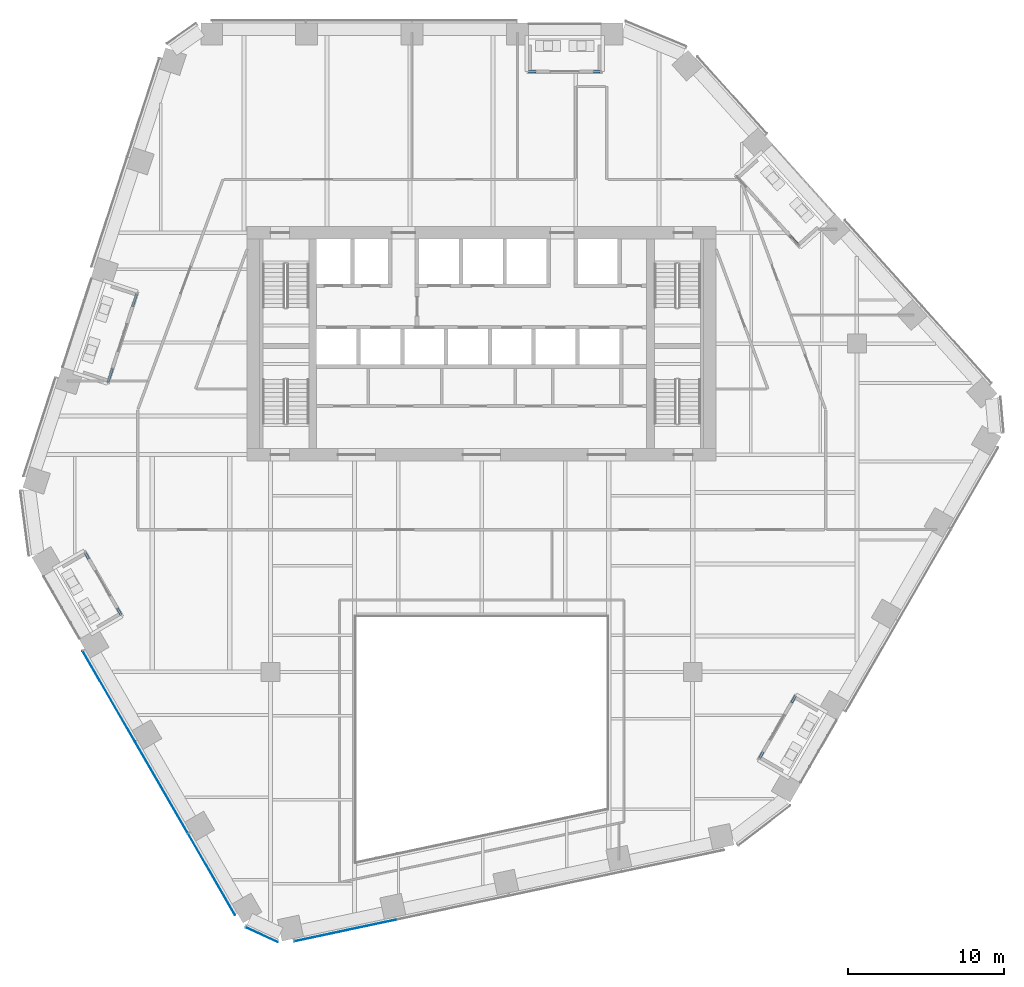
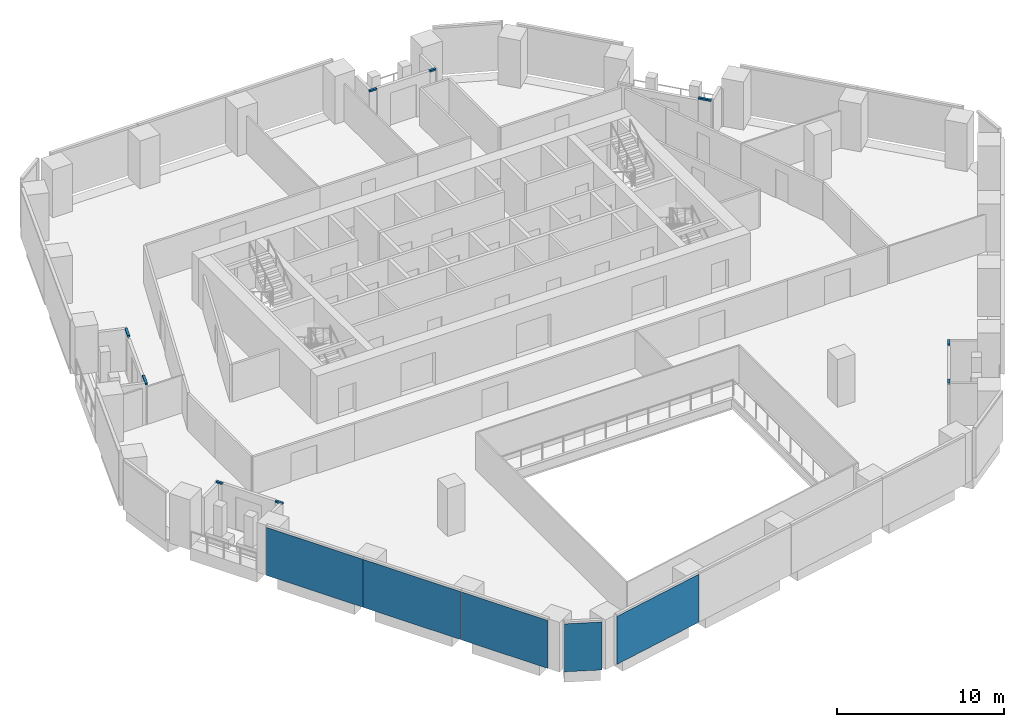
# One storey, part 11 of 24: 9 members, 5 plates, 8 elements without a shape of their own.
"""IFC4 building model written with IfcOpenShell, lengths in metres."""

from ifc_helpers import new_model, si_unit, direction, frame, origin, origin_2d, place, context, subcontext, project, spatial, rectangle, extrude, material, layer, layer_set, material_profile, profile_set, type_object, element, aggregate, save


model = new_model("IFC4")

# Units and contexts
model_context = context("Model", 3, precision=1e-05, world=origin(), true_north=direction((0.0, 1.0)))
body_context = subcontext(model_context, "Body", "Model", "MODEL_VIEW")
ifc_project = project(units=[si_unit("LENGTHUNIT", "METRE"), si_unit("AREAUNIT", "SQUARE_METRE"), si_unit("VOLUMEUNIT", "CUBIC_METRE"), si_unit("PLANEANGLEUNIT", "RADIAN"), si_unit("MASSUNIT", "GRAM", prefix="KILO")], contexts=[model_context])

# Site, building, storey
site_placement = place(None, origin())
site = spatial("IfcSite", under=ifc_project, at=site_placement, CompositionType="ELEMENT")
building_placement = place(site_placement, origin())
building = spatial("IfcBuilding", under=site, at=building_placement, Name="Isthmus Gate Tower", CompositionType="ELEMENT")
storey_placement = place(building_placement, frame((0.0, 0.0, 159.0)))
storey = spatial("IfcBuildingStorey", under=building, at=storey_placement, Name="L39", CompositionType="ELEMENT", Elevation=159.0)

# Curtain wall, members
ifc_material_1 = material(Name="Aluminium, pale champagne anodised", Category="aluminium")
ifc_layer_1 = layer(ifc_material_1, 0.14990234375)
ifc_layer_set_1 = layer_set([ifc_layer_1], Name="CW-6 LOGGIA BACK WALL GLAZING 150 DEEP")
curtain_wall_type_1 = type_object("IfcCurtainWallType", Name="CW-6 LOGGIA BACK WALL GLAZING 150 DEEP", PredefinedType="NOTDEFINED", material=ifc_layer_set_1)
curtain_wall_1_placement = place(storey_placement, origin())
curtain_wall_1 = element("IfcCurtainWall", 1, at=curtain_wall_1_placement, inside=storey, type_object=curtain_wall_type_1, Name="CW-6 N L39", PredefinedType="NOTDEFINED")
ifc_material_2 = material(Name="Aluminium, pale champagne anodised", Category="aluminium")
ifc_material_profile = material_profile(ifc_material_2, rectangle(XDim=0.14990234375, YDim=0.1201171875, at=origin_2d()), Name="150x120")
ifc_profile_set = profile_set([ifc_material_profile], Name="Aluminium, pale champagne anodised")
member_type = type_object("IfcMemberType", Name="CW-6 TRANSOM 150 X 120", PredefinedType="USERDEFINED", material=ifc_profile_set)
member_1_placement = place(storey_placement, frame((7.57861328125, 24.89990234375, 2.989990234375), z_axis=(-1.0, 0.0, 0.0), x_axis=(0.0, -1.0, 0.0)))
member_1 = element("IfcMember", 2, at=member_1_placement, type_object=member_type, Name="CW-6 transom", ObjectType="TRANSOM", PredefinedType="USERDEFINED", context=body_context, shape_type="SweptSolid", body=[
    extrude(rectangle(XDim=0.14990234375, YDim=0.1201171875, at=origin_2d()), origin(), (0.0, 0.0, 1.0), 0.43994140625),
])
member_2_placement = place(storey_placement, frame((3.488525390625, 24.89990234375, 2.989990234375), z_axis=(-1.0, 0.0, 0.0), x_axis=(0.0, -1.0, 0.0)))
member_2 = element("IfcMember", 3, at=member_2_placement, type_object=member_type, Name="CW-6 transom", ObjectType="TRANSOM", PredefinedType="USERDEFINED", context=body_context, shape_type="SweptSolid", body=[
    extrude(rectangle(XDim=0.14990234375, YDim=0.1201171875, at=origin_2d()), origin(), (0.0, 0.0, 1.0), 0.5),
])
aggregate(curtain_wall_1, [member_1, member_2])

curtain_wall_2_placement = place(storey_placement, origin())
curtain_wall_2 = element("IfcCurtainWall", 4, at=curtain_wall_2_placement, inside=storey, type_object=curtain_wall_type_1, Name="CW-6 NW L39", PredefinedType="NOTDEFINED")
member_3_placement = place(storey_placement, frame((-22.069091796875, 10.676025390625, 2.989990234375), z_axis=(-0.309205020217, -0.950995402445, 0.0), x_axis=(0.950995402445, -0.309205020217, 0.0)))
member_3 = element("IfcMember", 5, at=member_3_placement, type_object=member_type, Name="CW-6 transom", ObjectType="TRANSOM", PredefinedType="USERDEFINED", context=body_context, shape_type="SweptSolid", body=[
    extrude(rectangle(XDim=0.14990234375, YDim=0.1201171875, at=origin_2d()), origin(), (0.0, 0.0, 1.0), 0.83544921875),
])
member_4_placement = place(storey_placement, frame((-23.625244140625, 5.88720703125, 2.989990234375), z_axis=(-0.308938094753, -0.951082148718, 0.0), x_axis=(0.951082148718, -0.308938094753, 0.0)))
member_4 = element("IfcMember", 6, at=member_4_placement, type_object=member_type, Name="CW-6 transom", ObjectType="TRANSOM", PredefinedType="USERDEFINED", context=body_context, shape_type="SweptSolid", body=[
    extrude(rectangle(XDim=0.14990234375, YDim=0.1201171875, at=origin_2d()), origin(), (0.0, 0.0, 1.0), 0.895263671875),
])
aggregate(curtain_wall_2, [member_3, member_4])

curtain_wall_3_placement = place(storey_placement, origin())
curtain_wall_3 = element("IfcCurtainWall", 7, at=curtain_wall_3_placement, inside=storey, type_object=curtain_wall_type_1, Name="CW-6 SW L39", PredefinedType="NOTDEFINED")
member_5_placement = place(storey_placement, frame((-25.353271484375, -5.88671875, 2.989990234375), z_axis=(0.499898558967, -0.866083962871, 0.0), x_axis=(0.866083962871, 0.499898558967, 0.0)))
member_5 = element("IfcMember", 8, at=member_5_placement, type_object=member_type, Name="CW-6 transom", ObjectType="TRANSOM", PredefinedType="USERDEFINED", context=body_context, shape_type="SweptSolid", body=[
    extrude(rectangle(XDim=0.14990234375, YDim=0.1201171875, at=origin_2d()), origin(), (0.0, 0.0, 1.0), 0.43994140625),
])
member_6_placement = place(storey_placement, frame((-23.308349609375, -9.428955078125, 2.989990234375), z_axis=(0.499919672301, -0.866071776036, 0.0), x_axis=(0.866071776036, 0.499919672301, 0.0)))
member_6 = element("IfcMember", 9, at=member_6_placement, type_object=member_type, Name="CW-6 transom", ObjectType="TRANSOM", PredefinedType="USERDEFINED", context=body_context, shape_type="SweptSolid", body=[
    extrude(rectangle(XDim=0.14990234375, YDim=0.1201171875, at=origin_2d()), origin(), (0.0, 0.0, 1.0), 0.5),
])
aggregate(curtain_wall_3, [member_5, member_6])

curtain_wall_4_placement = place(storey_placement, origin())
curtain_wall_4 = element("IfcCurtainWall", 10, at=curtain_wall_4_placement, inside=storey, type_object=curtain_wall_type_1, Name="CW-6 SE L39", PredefinedType="NOTDEFINED")
member_7_placement = place(storey_placement, frame((17.774658203125, -19.01318359375, 2.989990234375), z_axis=(0.500314561892, 0.865843715204, 0.0), x_axis=(-0.865843715204, 0.500314561892, 0.0)))
member_7 = element("IfcMember", 11, at=member_7_placement, type_object=member_type, Name="CW-6 transom", ObjectType="TRANSOM", PredefinedType="USERDEFINED", context=body_context, shape_type="SweptSolid", body=[
    extrude(rectangle(XDim=0.14990234375, YDim=0.1201171875, at=origin_2d()), origin(), (0.0, 0.0, 1.0), 0.440185546875),
])
member_8_placement = place(storey_placement, frame((19.81982421875, -15.470947265625, 2.989990234375), z_axis=(0.500131122175, 0.865949687125, 0.0), x_axis=(-0.865949687125, 0.500131122175, 0.0)))
member_8 = element("IfcMember", 12, at=member_8_placement, type_object=member_type, Name="CW-6 transom", ObjectType="TRANSOM", PredefinedType="USERDEFINED", context=body_context, shape_type="SweptSolid", body=[
    extrude(rectangle(XDim=0.14990234375, YDim=0.1201171875, at=origin_2d()), origin(), (0.0, 0.0, 1.0), 0.499755859375),
])
aggregate(curtain_wall_4, [member_7, member_8])

# Curtain wall, member
curtain_wall_5_placement = place(storey_placement, origin())
curtain_wall_5 = element("IfcCurtainWall", 13, at=curtain_wall_5_placement, inside=storey, type_object=curtain_wall_type_1, Name="CW-6 NE L39", PredefinedType="NOTDEFINED")
member_9_placement = place(storey_placement, frame((20.2802734375, 13.7744140625, 2.989990234375), z_axis=(-0.66901317326, 0.743250545916, 0.0), x_axis=(-0.743250545916, -0.66901317326, 0.0)))
member_9 = element("IfcMember", 14, at=member_9_placement, type_object=member_type, Name="CW-6 transom", ObjectType="TRANSOM", PredefinedType="USERDEFINED", context=body_context, shape_type="SweptSolid", body=[
    extrude(rectangle(XDim=0.14990234375, YDim=0.1201171875, at=origin_2d()), origin(), (0.0, 0.0, 1.0), 0.835205078125),
])
aggregate(curtain_wall_5, [member_9])

# Curtain wall, plates
ifc_material_3 = material(Name="Aluminium, pale champagne anodised", Category="aluminium")
ifc_layer_2 = layer(ifc_material_3, 0.199951171875)
ifc_layer_set_2 = layer_set([ifc_layer_2], Name="CW-1 UNITISED CURTAIN WALL 200 DEEP")
curtain_wall_type_2 = type_object("IfcCurtainWallType", Name="CW-1 UNITISED CURTAIN WALL 200 DEEP", PredefinedType="NOTDEFINED", material=ifc_layer_set_2)
curtain_wall_6_placement = place(storey_placement, origin())
curtain_wall_6 = element("IfcCurtainWall", 15, at=curtain_wall_6_placement, inside=storey, type_object=curtain_wall_type_2, Name="CW-1 SW L39", PredefinedType="NOTDEFINED")
ifc_material_4 = material(Name="Laminated low-iron glass, pale blue tint", Category="glass")
ifc_layer_3 = layer(ifc_material_4, 0.035888671875)
ifc_layer_set_3 = layer_set([ifc_layer_3], Name="CW-1 CLEAR GLASS LITE 36")
plate_type = type_object("IfcPlateType", Name="CW-1 CLEAR GLASS LITE 36", PredefinedType="CURTAIN_PANEL", material=ifc_layer_set_3)
plate_1_placement = place(storey_placement, frame((-23.847900390625, -15.05810546875, 0.0), z_axis=(0.0, 0.0, 1.0), x_axis=(0.5, -0.866025403784, 0.0)))
plate_1 = element("IfcPlate", 16, at=plate_1_placement, type_object=plate_type, Name="CW-1 glass lite", PredefinedType="CURTAIN_PANEL", context=body_context, shape_type="SweptSolid", body=[
    extrude(rectangle(XDim=6.690185546875, YDim=0.035888671875, at=origin_2d()), origin(), (0.0, 0.0, 1.0), 3.510009765625),
])
plate_2_placement = place(storey_placement, frame((-20.488037109375, -20.8779296875, 0.0), z_axis=(0.0, 0.0, 1.0), x_axis=(0.5, -0.866025403784, 0.0)))
plate_2 = element("IfcPlate", 17, at=plate_2_placement, type_object=plate_type, Name="CW-1 glass lite", PredefinedType="CURTAIN_PANEL", context=body_context, shape_type="SweptSolid", body=[
    extrude(rectangle(XDim=6.750244140625, YDim=0.035888671875, at=origin_2d()), origin(), (0.0, 0.0, 1.0), 3.510009765625),
])
plate_3_placement = place(storey_placement, frame((-17.27294921875, -26.446533203125, 0.0), z_axis=(0.0, 0.0, 1.0), x_axis=(0.5, -0.866025403784, 0.0)))
plate_3 = element("IfcPlate", 18, at=plate_3_placement, type_object=plate_type, Name="CW-1 glass lite", PredefinedType="CURTAIN_PANEL", context=body_context, shape_type="SweptSolid", body=[
    extrude(rectangle(XDim=5.990234375, YDim=0.035888671875, at=origin_2d()), origin(), (0.0, 0.0, 1.0), 3.510009765625),
])
aggregate(curtain_wall_6, [plate_1, plate_2, plate_3])

# Curtain wall, plate
curtain_wall_7_placement = place(storey_placement, origin())
curtain_wall_7 = element("IfcCurtainWall", 19, at=curtain_wall_7_placement, inside=storey, type_object=curtain_wall_type_2, Name="CW-1 SW-S L39", PredefinedType="NOTDEFINED")
plate_4_placement = place(storey_placement, frame((-14.07373046875, -30.3095703125, 0.0), z_axis=(0.0, 0.0, 1.0), x_axis=(0.907256261367, -0.420578264073, 0.0)))
plate_4 = element("IfcPlate", 20, at=plate_4_placement, type_object=plate_type, Name="CW-1 glass lite", PredefinedType="CURTAIN_PANEL", context=body_context, shape_type="SweptSolid", body=[
    extrude(rectangle(XDim=2.258544921875, YDim=0.035888671875, at=origin_2d()), origin(), (0.0, 0.0, 1.0), 3.510009765625),
])
aggregate(curtain_wall_7, [plate_4])

curtain_wall_8_placement = place(storey_placement, origin())
curtain_wall_8 = element("IfcCurtainWall", 21, at=curtain_wall_8_placement, inside=storey, type_object=curtain_wall_type_2, Name="CW-1 S L39", PredefinedType="NOTDEFINED")
plate_5_placement = place(storey_placement, frame((-8.744384765625, -30.044677734375, 0.0), z_axis=(0.0, 0.0, 1.0), x_axis=(0.978147600734, 0.207911690818, 0.0)))
plate_5 = element("IfcPlate", 22, at=plate_5_placement, type_object=plate_type, Name="CW-1 glass lite", PredefinedType="CURTAIN_PANEL", context=body_context, shape_type="SweptSolid", body=[
    extrude(rectangle(XDim=6.630859375, YDim=0.035888671875, at=origin_2d()), origin(), (0.0, 0.0, 1.0), 3.510009765625),
])
aggregate(curtain_wall_8, [plate_5])

save(model, "model.ifc")
